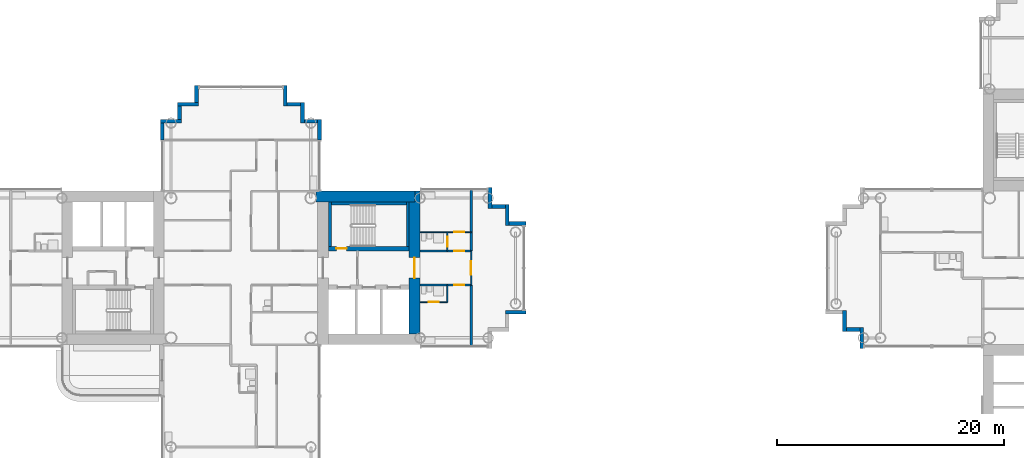
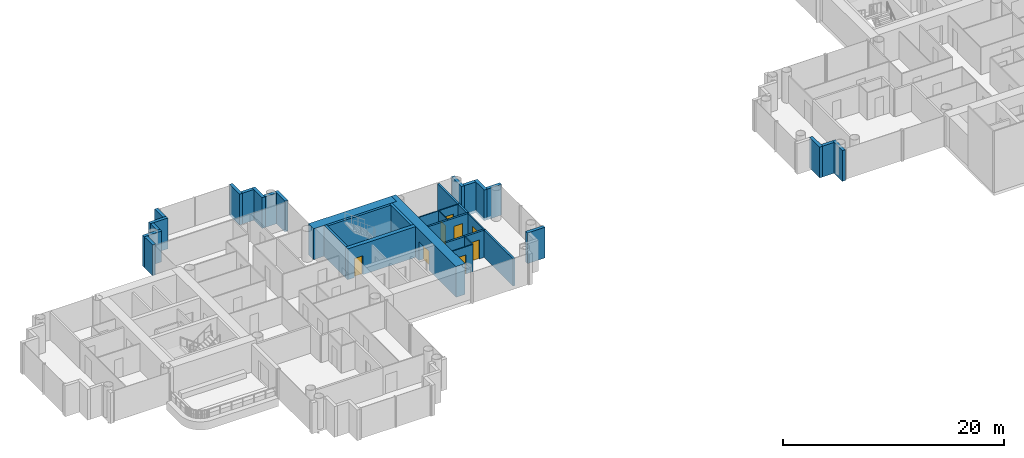
# One storey, part 11 of 21: 33 walls, 8 doors, 8 openings.
"""IFC4 building model written with IfcOpenShell, lengths in metres."""

from ifc_helpers import new_model, si_unit, direction, frame, frame_2d, origin, place, context, subcontext, project, spatial, rectangle, extrude, material, layer, layer_set, type_object, element, fill, save


model = new_model("IFC4")

# Units and contexts
model_context = context("Model", 3, precision=1e-05, world=origin(), true_north=direction((0.0, 1.0)))
body_context = subcontext(model_context, "Body", "Model", "MODEL_VIEW")
ifc_project = project(units=[si_unit("LENGTHUNIT", "METRE"), si_unit("AREAUNIT", "SQUARE_METRE"), si_unit("VOLUMEUNIT", "CUBIC_METRE"), si_unit("PLANEANGLEUNIT", "RADIAN"), si_unit("MASSUNIT", "GRAM", prefix="KILO")], contexts=[model_context])

# Site, building, storey
site_placement = place(None, origin())
site = spatial("IfcSite", under=ifc_project, at=site_placement, CompositionType="ELEMENT")
building_placement = place(site_placement, origin())
building = spatial("IfcBuilding", under=site, at=building_placement, Name="Ipe Terrace Towers", CompositionType="ELEMENT")
storey_placement = place(building_placement, frame((0.0, 0.0, 97.0)))
storey = spatial("IfcBuildingStorey", under=building, at=storey_placement, Name="L26", CompositionType="ELEMENT", Elevation=97.0)

# Walls
ifc_material_1 = material(Name="Concrete C40/50 with buff precast cladding", Category="concrete")
ifc_layer_1 = layer(ifc_material_1, 0.320068359375)
ifc_layer_set_1 = layer_set([ifc_layer_1], Name="BUFF CLADDING WALL 320")
wall_type_1 = type_object("IfcWallType", Name="BUFF CLADDING WALL 320", PredefinedType="STANDARD", material=ifc_layer_set_1)
wall_1_placement = place(storey_placement, frame((-12.75, -3.909912109375, -0.300048828125), z_axis=(0.0, 0.0, 1.0), x_axis=(1.0, 0.0, 0.0)))
element("IfcWall", 1, at=wall_1_placement, inside=storey, type_object=wall_type_1, Name="T1-W-L26-24a wall", PredefinedType="STANDARD", context=body_context, shape_type="SweptSolid", body=[
    extrude(rectangle(XDim=1.820068359375, YDim=0.320068359375, at=frame_2d((0.91015625, 0.0))), origin(), (0.0, 0.0, 1.0), 3.400146484375),
])
wall_2_placement = place(storey_placement, frame((-10.929931640625, 3.909912109375, -0.300048828125), z_axis=(0.0, 0.0, 1.0), x_axis=(-1.0, 0.0, 0.0)))
element("IfcWall", 2, at=wall_2_placement, inside=storey, type_object=wall_type_1, Name="T1-W-L26-26a wall", PredefinedType="STANDARD", context=body_context, shape_type="SweptSolid", body=[
    extrude(rectangle(XDim=1.5, YDim=0.320068359375, at=frame_2d((0.75, 0.0))), origin(), (0.0, 0.0, 1.0), 3.400146484375),
])
wall_3_placement = place(storey_placement, frame((-12.590087890625, 3.75, -0.300048828125), z_axis=(0.0, 0.0, 1.0), x_axis=(0.0, 1.0, 0.0)))
element("IfcWall", 3, at=wall_3_placement, inside=storey, type_object=wall_type_1, Name="T1-W-L26-27a wall", PredefinedType="STANDARD", context=body_context, shape_type="SweptSolid", body=[
    extrude(rectangle(XDim=1.820068359375, YDim=0.320068359375, at=frame_2d((0.91015625, 0.0))), origin(), (0.0, 0.0, 1.0), 3.400146484375),
])
wall_4_placement = place(storey_placement, frame((-12.75, 5.409912109375, -0.300048828125), z_axis=(0.0, 0.0, 1.0), x_axis=(-1.0, 0.0, 0.0)))
element("IfcWall", 4, at=wall_4_placement, inside=storey, type_object=wall_type_1, Name="T1-W-L26-28a wall", PredefinedType="STANDARD", context=body_context, shape_type="SweptSolid", body=[
    extrude(rectangle(XDim=1.179931640625, YDim=0.320068359375, at=frame_2d((0.58984375, 0.0))), origin(), (0.0, 0.0, 1.0), 3.400146484375),
])
for number, where, z_axis, x_axis, name in (
    (5, (-14.090087890625, 5.25, -0.300048828125), (0.0, 0.0, 1.0), (0.0, 1.0, 0.0), "T1-W-L26-29a wall"),
    (6, (-29.090087890625, 11.25, -0.300048828125), (0.0, 0.0, 1.0), (0.0, 1.0, 0.0), "T1-W-L26-33a wall"),
):
    element("IfcWall", number, at=place(storey_placement, frame(where, z_axis=z_axis, x_axis=x_axis)), inside=storey, type_object=wall_type_1, Name=name, PredefinedType="STANDARD", context=body_context, shape_type="SweptSolid", body=[
        extrude(rectangle(XDim=1.820068359375, YDim=0.320068359375, at=frame_2d((0.91015625, 0.0))), origin(), (0.0, 0.0, 1.0), 3.400146484375),
    ])
wall_5_placement = place(storey_placement, frame((-29.25, 12.909912109375, -0.300048828125), z_axis=(0.0, 0.0, 1.0), x_axis=(-1.0, 0.0, 0.0)))
element("IfcWall", 7, at=wall_5_placement, inside=storey, type_object=wall_type_1, Name="T1-W-L26-34a wall", PredefinedType="STANDARD", context=body_context, shape_type="SweptSolid", body=[
    extrude(rectangle(XDim=1.179931640625, YDim=0.320068359375, at=frame_2d((0.58984375, 0.0))), origin(), (0.0, 0.0, 1.0), 3.400146484375),
])
wall_6_placement = place(storey_placement, frame((-30.590087890625, 12.75, -0.300048828125), z_axis=(0.0, 0.0, 1.0), x_axis=(0.0, 1.0, 0.0)))
element("IfcWall", 8, at=wall_6_placement, inside=storey, type_object=wall_type_1, Name="T1-W-L26-35a wall", PredefinedType="STANDARD", context=body_context, shape_type="SweptSolid", body=[
    extrude(rectangle(XDim=1.820068359375, YDim=0.320068359375, at=frame_2d((0.91015625, 0.0))), origin(), (0.0, 0.0, 1.0), 3.400146484375),
])
wall_7_placement = place(storey_placement, frame((-30.75, 14.409912109375, -0.300048828125), z_axis=(0.0, 0.0, 1.0), x_axis=(-1.0, 0.0, 0.0)))
element("IfcWall", 9, at=wall_7_placement, inside=storey, type_object=wall_type_1, Name="T1-W-L26-36a wall", PredefinedType="STANDARD", context=body_context, shape_type="SweptSolid", body=[
    extrude(rectangle(XDim=1.179931640625, YDim=0.320068359375, at=frame_2d((0.58984375, 0.0))), origin(), (0.0, 0.0, 1.0), 3.400146484375),
])
wall_8_placement = place(storey_placement, frame((-32.090087890625, 14.25, -0.300048828125), z_axis=(0.0, 0.0, 1.0), x_axis=(0.0, 1.0, 0.0)))
element("IfcWall", 10, at=wall_8_placement, inside=storey, type_object=wall_type_1, Name="T1-W-L26-37a wall", PredefinedType="STANDARD", context=body_context, shape_type="SweptSolid", body=[
    extrude(rectangle(XDim=1.820068359375, YDim=0.320068359375, at=frame_2d((0.91015625, 0.0))), origin(), (0.0, 0.0, 1.0), 3.400146484375),
])
wall_9_placement = place(storey_placement, frame((-39.909912109375, 16.070068359375, -0.300048828125), z_axis=(0.0, 0.0, 1.0), x_axis=(0.0, -1.0, 0.0)))
element("IfcWall", 11, at=wall_9_placement, inside=storey, type_object=wall_type_1, Name="T1-W-L26-39a wall", PredefinedType="STANDARD", context=body_context, shape_type="SweptSolid", body=[
    extrude(rectangle(XDim=1.5, YDim=0.320068359375, at=frame_2d((0.75, 0.0))), origin(), (0.0, 0.0, 1.0), 3.400146484375),
])
wall_10_placement = place(storey_placement, frame((-39.75, 14.409912109375, -0.300048828125), z_axis=(0.0, 0.0, 1.0), x_axis=(-1.0, 0.0, 0.0)))
element("IfcWall", 12, at=wall_10_placement, inside=storey, type_object=wall_type_1, Name="T1-W-L26-40a wall", PredefinedType="STANDARD", context=body_context, shape_type="SweptSolid", body=[
    extrude(rectangle(XDim=1.820068359375, YDim=0.320068359375, at=frame_2d((0.91015625, 0.0))), origin(), (0.0, 0.0, 1.0), 3.400146484375),
])
wall_11_placement = place(storey_placement, frame((-41.409912109375, 14.25, -0.300048828125), z_axis=(0.0, 0.0, 1.0), x_axis=(0.0, -1.0, 0.0)))
element("IfcWall", 13, at=wall_11_placement, inside=storey, type_object=wall_type_1, Name="T1-W-L26-41a wall", PredefinedType="STANDARD", context=body_context, shape_type="SweptSolid", body=[
    extrude(rectangle(XDim=1.179931640625, YDim=0.320068359375, at=frame_2d((0.58984375, 0.0))), origin(), (0.0, 0.0, 1.0), 3.400146484375),
])
wall_12_placement = place(storey_placement, frame((-41.25, 12.909912109375, -0.300048828125), z_axis=(0.0, 0.0, 1.0), x_axis=(-1.0, 0.0, 0.0)))
element("IfcWall", 14, at=wall_12_placement, inside=storey, type_object=wall_type_1, Name="T1-W-L26-42a wall", PredefinedType="STANDARD", context=body_context, shape_type="SweptSolid", body=[
    extrude(rectangle(XDim=1.820068359375, YDim=0.320068359375, at=frame_2d((0.91015625, 0.0))), origin(), (0.0, 0.0, 1.0), 3.400146484375),
])
wall_13_placement = place(storey_placement, frame((-42.909912109375, 12.75, -0.300048828125), z_axis=(0.0, 0.0, 1.0), x_axis=(0.0, -1.0, 0.0)))
element("IfcWall", 15, at=wall_13_placement, inside=storey, type_object=wall_type_1, Name="T1-W-L26-43a wall", PredefinedType="STANDARD", context=body_context, shape_type="SweptSolid", body=[
    extrude(rectangle(XDim=1.5, YDim=0.320068359375, at=frame_2d((0.75, 0.0))), origin(), (0.0, 0.0, 1.0), 3.400146484375),
])
wall_14_placement = place(storey_placement, frame((17.090087890625, -3.75, -0.300048828125), z_axis=(0.0, 0.0, 1.0), x_axis=(0.0, -1.0, 0.0)))
element("IfcWall", 16, at=wall_14_placement, inside=storey, type_object=wall_type_1, Name="T2-W-L26-36a wall", PredefinedType="STANDARD", context=body_context, shape_type="SweptSolid", body=[
    extrude(rectangle(XDim=1.820068359375, YDim=0.320068359375, at=frame_2d((0.91015625, 0.0))), origin(), (0.0, 0.0, 1.0), 3.400146484375),
])
wall_15_placement = place(storey_placement, frame((17.25, -5.409912109375, -0.300048828125), z_axis=(0.0, 0.0, 1.0), x_axis=(1.0, 0.0, 0.0)))
element("IfcWall", 17, at=wall_15_placement, inside=storey, type_object=wall_type_1, Name="T2-W-L26-37a wall", PredefinedType="STANDARD", context=body_context, shape_type="SweptSolid", body=[
    extrude(rectangle(XDim=1.179931640625, YDim=0.320068359375, at=frame_2d((0.58984375, 0.0))), origin(), (0.0, 0.0, 1.0), 3.400146484375),
])
wall_16_placement = place(storey_placement, frame((18.590087890625, -5.25, -0.300048828125), z_axis=(0.0, 0.0, 1.0), x_axis=(0.0, -1.0, 0.0)))
element("IfcWall", 18, at=wall_16_placement, inside=storey, type_object=wall_type_1, Name="T2-W-L26-38a wall", PredefinedType="STANDARD", context=body_context, shape_type="SweptSolid", body=[
    extrude(rectangle(XDim=1.820068359375, YDim=0.320068359375, at=frame_2d((0.91015625, 0.0))), origin(), (0.0, 0.0, 1.0), 3.400146484375),
])
ifc_material_2 = material(Name="Gypsum board partition", Category="plasterboard")
ifc_layer_2 = layer(ifc_material_2, 0.10009765625)
ifc_layer_set_2 = layer_set([ifc_layer_2], Name="Gypsum board partition 100 mm")
wall_type_2 = type_object("IfcWallType", Name="Gypsum board partition 100 mm", PredefinedType="PARTITIONING", material=ifc_layer_set_2)
wall_17_placement = place(storey_placement, frame((-17.85009765625, -3.0, 0.0), z_axis=(0.0, 0.0, 1.0), x_axis=(0.0, 1.0, 0.0)))
element("IfcWall", 19, at=wall_17_placement, inside=storey, type_object=wall_type_2, Name="Gypsum board partition T1 L26 W16", PredefinedType="PARTITIONING", context=body_context, shape_type="SweptSolid", body=[
    extrude(rectangle(XDim=1.5, YDim=0.10009765625, at=frame_2d((0.75, 0.0))), origin(), (0.0, 0.0, 1.0), 3.0),
])

# Wall, opening, door
wall_18_placement = place(storey_placement, frame((-17.85009765625, 1.5, 0.0), z_axis=(0.0, 0.0, 1.0), x_axis=(0.0, 1.0, 0.0)))
wall_18 = element("IfcWall", 20, at=wall_18_placement, inside=storey, type_object=wall_type_2, Name="Gypsum board partition T1 L26 W17", PredefinedType="PARTITIONING", context=body_context, shape_type="SweptSolid", body=[
    extrude(rectangle(XDim=1.64990234375, YDim=0.10009765625, at=frame_2d((0.824951171875, 0.0))), origin(), (0.0, 0.0, 1.0), 3.0),
])
opening_1_placement = place(wall_18_placement, frame((0.35009765625, 0.0, 0.0)))
opening_1 = element("IfcOpeningElement", 21, at=opening_1_placement, cuts=wall_18, Name="Opening T1-Z2E-18", PredefinedType="OPENING", context=body_context, shape_type="SweptSolid", body=[
    extrude(rectangle(XDim=0.89990234375, YDim=2.10009765625, at=frame_2d((0.449951171875, 1.050048828125))), frame((0.0, 0.06005859375, 0.0), z_axis=(0.0, -1.0, 0.0), x_axis=(1.0, 0.0, 0.0)), (0.0, 0.0, 1.0), 0.1201171875),
])
ifc_material_3 = material(Name="Timber door leaf", Category="wood")
door_type_1 = type_object("IfcDoorType", Name="Bathroom door 900 x 2100", OperationType="NOTDEFINED", PredefinedType="DOOR", material=ifc_material_3)
door_1_placement = place(opening_1_placement, origin())
door_1 = element("IfcDoor", 22, at=door_1_placement, inside=storey, type_object=door_type_1, Name="Bathroom door T1-Z2E-18", OperationType="SINGLE_SWING_RIGHT", OverallHeight=2.10009765625, OverallWidth=0.89990234375, PredefinedType="DOOR", context=body_context, shape_type="SweptSolid", body=[
    extrude(rectangle(XDim=0.89990234375, YDim=2.10009765625, at=frame_2d((0.449951171875, 1.050048828125))), frame((0.0, 0.02490234375, 0.0), z_axis=(0.0, -1.0, 0.0), x_axis=(1.0, 0.0, 0.0)), (0.0, 0.0, 1.0), 0.050048828125),
])
fill(opening_1, door_1)

wall_19_placement = place(storey_placement, frame((-15.75, -1.5, 0.0), z_axis=(0.0, 0.0, 1.0), x_axis=(0.0, 1.0, 0.0)))
wall_19 = element("IfcWall", 23, at=wall_19_placement, inside=storey, type_object=wall_type_2, Name="Gypsum board partition T1 L26 W18", PredefinedType="PARTITIONING", context=body_context, shape_type="SweptSolid", body=[
    extrude(rectangle(XDim=3.0, YDim=0.10009765625, at=frame_2d((1.5, 0.0))), origin(), (0.0, 0.0, 1.0), 3.0),
])
opening_2_placement = place(wall_19_placement, frame((0.89990234375, 0.0, 0.0)))
opening_2 = element("IfcOpeningElement", 24, at=opening_2_placement, cuts=wall_19, Name="Opening T1-Z2E-21", PredefinedType="OPENING", context=body_context, shape_type="SweptSolid", body=[
    extrude(rectangle(XDim=1.199951171875, YDim=2.10009765625, at=frame_2d((0.60009765625, 1.050048828125))), frame((0.0, 0.06005859375, 0.0), z_axis=(0.0, -1.0, 0.0), x_axis=(1.0, 0.0, 0.0)), (0.0, 0.0, 1.0), 0.1201171875),
])
ifc_material_4 = material(Name="Timber door leaf", Category="wood")
door_type_2 = type_object("IfcDoorType", Name="Lounge door 1200 x 2100", OperationType="NOTDEFINED", PredefinedType="DOOR", material=ifc_material_4)
door_2_placement = place(opening_2_placement, origin())
door_2 = element("IfcDoor", 25, at=door_2_placement, inside=storey, type_object=door_type_2, Name="Lounge door T1-Z2E-21", OperationType="SINGLE_SWING_RIGHT", OverallHeight=2.10009765625, OverallWidth=1.199951171875, PredefinedType="DOOR", context=body_context, shape_type="SweptSolid", body=[
    extrude(rectangle(XDim=1.199951171875, YDim=2.10009765625, at=frame_2d((0.60009765625, 1.050048828125))), frame((0.0, 0.02490234375, 0.0), z_axis=(0.0, -1.0, 0.0), x_axis=(1.0, 0.0, 0.0)), (0.0, 0.0, 1.0), 0.050048828125),
])
fill(opening_2, door_2)

wall_20_placement = place(storey_placement, frame((-20.25, -3.0, 0.0), z_axis=(0.0, 0.0, 1.0), x_axis=(1.0, 0.0, 0.0)))
wall_20 = element("IfcWall", 26, at=wall_20_placement, inside=storey, type_object=wall_type_2, Name="Gypsum board partition T1 L26 W28", PredefinedType="PARTITIONING", context=body_context, shape_type="SweptSolid", body=[
    extrude(rectangle(XDim=2.39990234375, YDim=0.10009765625, at=frame_2d((1.199951171875, 0.0))), origin(), (0.0, 0.0, 1.0), 3.0),
])
opening_3_placement = place(wall_20_placement, frame((0.75, 0.0, 0.0)))
opening_3 = element("IfcOpeningElement", 27, at=opening_3_placement, cuts=wall_20, Name="Opening T1-Z2E-20", PredefinedType="OPENING", context=body_context, shape_type="SweptSolid", body=[
    extrude(rectangle(XDim=0.89990234375, YDim=2.10009765625, at=frame_2d((0.449951171875, 1.050048828125))), frame((0.0, 0.06005859375, 0.0), z_axis=(0.0, -1.0, 0.0), x_axis=(1.0, 0.0, 0.0)), (0.0, 0.0, 1.0), 0.1201171875),
])
door_3_placement = place(opening_3_placement, origin())
door_3 = element("IfcDoor", 28, at=door_3_placement, inside=storey, type_object=door_type_1, Name="Bathroom door T1-Z2E-20", OperationType="SINGLE_SWING_LEFT", OverallHeight=2.10009765625, OverallWidth=0.89990234375, PredefinedType="DOOR", context=body_context, shape_type="SweptSolid", body=[
    extrude(rectangle(XDim=0.89990234375, YDim=2.10009765625, at=frame_2d((0.449951171875, 1.050048828125))), frame((0.0, 0.02490234375, 0.0), z_axis=(0.0, -1.0, 0.0), x_axis=(1.0, 0.0, 0.0)), (0.0, 0.0, 1.0), 0.050048828125),
])
fill(opening_3, door_3)

wall_21_placement = place(storey_placement, frame((-20.25, 3.14990234375, 0.0), z_axis=(0.0, 0.0, 1.0), x_axis=(1.0, 0.0, 0.0)))
wall_21 = element("IfcWall", 29, at=wall_21_placement, inside=storey, type_object=wall_type_2, Name="Gypsum board partition T1 L26 W38", PredefinedType="PARTITIONING", context=body_context, shape_type="SweptSolid", body=[
    extrude(rectangle(XDim=4.5, YDim=0.10009765625, at=frame_2d((2.25, 0.0))), origin(), (0.0, 0.0, 1.0), 3.0),
])
opening_4_placement = place(wall_21_placement, frame((3.0, 0.0, 0.0)))
opening_4 = element("IfcOpeningElement", 30, at=opening_4_placement, cuts=wall_21, Name="Opening T1-Z2E-17", PredefinedType="OPENING", context=body_context, shape_type="SweptSolid", body=[
    extrude(rectangle(XDim=0.89990234375, YDim=2.10009765625, at=frame_2d((0.449951171875, 1.050048828125))), frame((0.0, 0.06005859375, 0.0), z_axis=(0.0, -1.0, 0.0), x_axis=(1.0, 0.0, 0.0)), (0.0, 0.0, 1.0), 0.1201171875),
])
ifc_material_5 = material(Name="Timber door leaf", Category="wood")
door_type_3 = type_object("IfcDoorType", Name="Bedroom door 900 x 2100", OperationType="NOTDEFINED", PredefinedType="DOOR", material=ifc_material_5)
door_4_placement = place(opening_4_placement, origin())
door_4 = element("IfcDoor", 31, at=door_4_placement, inside=storey, type_object=door_type_3, Name="Bedroom door T1-Z2E-17", OperationType="SINGLE_SWING_LEFT", OverallHeight=2.10009765625, OverallWidth=0.89990234375, PredefinedType="DOOR", context=body_context, shape_type="SweptSolid", body=[
    extrude(rectangle(XDim=0.89990234375, YDim=2.10009765625, at=frame_2d((0.449951171875, 1.050048828125))), frame((0.0, 0.02490234375, 0.0), z_axis=(0.0, -1.0, 0.0), x_axis=(1.0, 0.0, 0.0)), (0.0, 0.0, 1.0), 0.050048828125),
])
fill(opening_4, door_4)

# Walls
ifc_material_6 = material(Name="Gypsum board party wall", Category="plasterboard")
ifc_layer_3 = layer(ifc_material_6, 0.199951171875)
ifc_layer_set_3 = layer_set([ifc_layer_3], Name="Gypsum board party wall 200 mm")
wall_type_3 = type_object("IfcWallType", Name="Gypsum board party wall 200 mm", PredefinedType="SOLIDWALL", material=ifc_layer_set_3)
for number, where, z_axis, x_axis, name in (
    (32, (-15.75, -6.85009765625, 0.0), (0.0, 0.0, 1.0), (0.0, 1.0, 0.0), "Gypsum board party wall T1 L26 W19"),
    (33, (-15.75, 1.5, 0.0), (0.0, 0.0, 1.0), (0.0, 1.0, 0.0), "Gypsum board party wall T1 L26 W20"),
):
    element("IfcWall", number, at=place(storey_placement, frame(where, z_axis=z_axis, x_axis=x_axis)), inside=storey, type_object=wall_type_3, Name=name, PredefinedType="SOLIDWALL", context=body_context, shape_type="SweptSolid", body=[
        extrude(rectangle(XDim=5.35009765625, YDim=0.199951171875, at=frame_2d((2.675048828125, 0.0))), origin(), (0.0, 0.0, 1.0), 3.0),
    ])

# Wall, opening, door
wall_22_placement = place(storey_placement, frame((-20.25, -1.5, 0.0), z_axis=(0.0, 0.0, 1.0), x_axis=(1.0, 0.0, 0.0)))
wall_22 = element("IfcWall", 34, at=wall_22_placement, inside=storey, type_object=wall_type_3, Name="Gypsum board party wall T1 L26 W32", PredefinedType="SOLIDWALL", context=body_context, shape_type="SweptSolid", body=[
    extrude(rectangle(XDim=4.5, YDim=0.199951171875, at=frame_2d((2.25, 0.0))), origin(), (0.0, 0.0, 1.0), 3.0),
])
opening_5_placement = place(wall_22_placement, frame((3.0, 0.0, 0.0)))
opening_5 = element("IfcOpeningElement", 35, at=opening_5_placement, cuts=wall_22, Name="Opening T1-Z2E-19", PredefinedType="OPENING", context=body_context, shape_type="SweptSolid", body=[
    extrude(rectangle(XDim=0.89990234375, YDim=2.10009765625, at=frame_2d((0.449951171875, 1.050048828125))), frame((0.0, 0.10986328125, 0.0), z_axis=(0.0, -1.0, 0.0), x_axis=(1.0, 0.0, 0.0)), (0.0, 0.0, 1.0), 0.219970703125),
])
ifc_material_7 = material(Name="Fire-rated timber door leaf", Category="wood")
door_type_4 = type_object("IfcDoorType", Name="Flat entrance door 900 x 2100 FD30S", OperationType="NOTDEFINED", PredefinedType="DOOR", material=ifc_material_7)
door_5_placement = place(opening_5_placement, origin())
door_5 = element("IfcDoor", 36, at=door_5_placement, inside=storey, type_object=door_type_4, Name="Flat entrance door T1-Z2E-19", OperationType="SINGLE_SWING_RIGHT", OverallHeight=2.10009765625, OverallWidth=0.89990234375, PredefinedType="DOOR", context=body_context, shape_type="SweptSolid", body=[
    extrude(rectangle(XDim=0.89990234375, YDim=2.10009765625, at=frame_2d((0.449951171875, 1.050048828125))), frame((0.0, 0.02490234375, 0.0), z_axis=(0.0, -1.0, 0.0), x_axis=(1.0, 0.0, 0.0)), (0.0, 0.0, 1.0), 0.050048828125),
])
fill(opening_5, door_5)

wall_23_placement = place(storey_placement, frame((-20.25, 1.5, 0.0), z_axis=(0.0, 0.0, 1.0), x_axis=(1.0, 0.0, 0.0)))
wall_23 = element("IfcWall", 37, at=wall_23_placement, inside=storey, type_object=wall_type_3, Name="Gypsum board party wall T1 L26 W36", PredefinedType="SOLIDWALL", context=body_context, shape_type="SweptSolid", body=[
    extrude(rectangle(XDim=4.5, YDim=0.199951171875, at=frame_2d((2.25, 0.0))), origin(), (0.0, 0.0, 1.0), 3.0),
])
opening_6_placement = place(wall_23_placement, frame((3.0, 0.0, 0.0)))
opening_6 = element("IfcOpeningElement", 38, at=opening_6_placement, cuts=wall_23, Name="Opening T1-Z2E-16", PredefinedType="OPENING", context=body_context, shape_type="SweptSolid", body=[
    extrude(rectangle(XDim=0.89990234375, YDim=2.10009765625, at=frame_2d((0.449951171875, 1.050048828125))), frame((0.0, 0.10986328125, 0.0), z_axis=(0.0, -1.0, 0.0), x_axis=(1.0, 0.0, 0.0)), (0.0, 0.0, 1.0), 0.219970703125),
])
door_6_placement = place(opening_6_placement, origin())
door_6 = element("IfcDoor", 39, at=door_6_placement, inside=storey, type_object=door_type_4, Name="Flat entrance door T1-Z2E-16", OperationType="SINGLE_SWING_LEFT", OverallHeight=2.10009765625, OverallWidth=0.89990234375, PredefinedType="DOOR", context=body_context, shape_type="SweptSolid", body=[
    extrude(rectangle(XDim=0.89990234375, YDim=2.10009765625, at=frame_2d((0.449951171875, 1.050048828125))), frame((0.0, 0.02490234375, 0.0), z_axis=(0.0, -1.0, 0.0), x_axis=(1.0, 0.0, 0.0)), (0.0, 0.0, 1.0), 0.050048828125),
])
fill(opening_6, door_6)

# Walls
ifc_material_8 = material(Name="Concrete C50/60", Category="concrete")
ifc_layer_4 = layer(ifc_material_8, 0.25)
ifc_layer_set_4 = layer_set([ifc_layer_4], Name="RW250 CORE INFILL WALL 250 C50-60")
wall_type_4 = type_object("IfcWallType", Name="RW250 CORE INFILL WALL 250 C50-60", PredefinedType="SHEAR", material=ifc_layer_set_4)
wall_24_placement = place(storey_placement, frame((-21.324951171875, 1.89990234375, 0.0), z_axis=(0.0, 0.0, 1.0), x_axis=(0.0, 1.0, 0.0)))
element("IfcWall", 40, at=wall_24_placement, inside=storey, type_object=wall_type_4, Name="Core infill wall T1-C1-far", PredefinedType="SHEAR", context=body_context, shape_type="SweptSolid", body=[
    extrude(rectangle(XDim=3.900146484375, YDim=0.25, at=frame_2d((1.9501953125, 0.0))), origin(), (0.0, 0.0, 1.0), 3.39990234375),
])
wall_25_placement = place(storey_placement, frame((-28.050048828125, 5.675048828125, 0.0), z_axis=(0.0, 0.0, 1.0), x_axis=(1.0, 0.0, 0.0)))
element("IfcWall", 41, at=wall_25_placement, inside=storey, type_object=wall_type_4, Name="Core infill wall T1-C1-back", PredefinedType="SHEAR", context=body_context, shape_type="SweptSolid", body=[
    extrude(rectangle(XDim=6.60009765625, YDim=0.25, at=frame_2d((3.300048828125, 0.0))), origin(), (0.0, 0.0, 1.0), 3.39990234375),
])
wall_26_placement = place(storey_placement, frame((-28.175048828125, 1.89990234375, 0.0), z_axis=(0.0, 0.0, 1.0), x_axis=(0.0, 1.0, 0.0)))
element("IfcWall", 42, at=wall_26_placement, inside=storey, type_object=wall_type_4, Name="Core infill wall T1-C1-near", PredefinedType="SHEAR", context=body_context, shape_type="SweptSolid", body=[
    extrude(rectangle(XDim=3.900146484375, YDim=0.25, at=frame_2d((1.9501953125, 0.0))), origin(), (0.0, 0.0, 1.0), 3.39990234375),
])

# Wall, opening, door
ifc_material_9 = material(Name="Concrete C50/60", Category="concrete")
ifc_layer_5 = layer(ifc_material_9, 0.39990234375)
ifc_layer_set_5 = layer_set([ifc_layer_5], Name="RW400 CORE SPINE WALL 400 C50-60")
wall_type_5 = type_object("IfcWallType", Name="RW400 CORE SPINE WALL 400 C50-60", PredefinedType="SHEAR", material=ifc_layer_set_5)
wall_27_placement = place(storey_placement, frame((-28.300048828125, 1.699951171875, 0.0), z_axis=(0.0, 0.0, 1.0), x_axis=(1.0, 0.0, 0.0)))
wall_27 = element("IfcWall", 43, at=wall_27_placement, inside=storey, type_object=wall_type_5, Name="Core spine wall T1-C1-Z2-SW2", PredefinedType="SHEAR", context=body_context, shape_type="SweptSolid", body=[
    extrude(rectangle(XDim=7.10009765625, YDim=0.39990234375, at=frame_2d((3.550048828125, 0.0))), origin(), (0.0, 0.0, 1.0), 3.39990234375),
])
opening_7_placement = place(wall_27_placement, frame((0.699951171875, 0.0, 0.0)))
opening_7 = element("IfcOpeningElement", 44, at=opening_7_placement, cuts=wall_27, Name="Opening T1C1-SD", PredefinedType="OPENING", context=body_context, shape_type="SweptSolid", body=[
    extrude(rectangle(XDim=0.89990234375, YDim=2.10009765625, at=frame_2d((0.449951171875, 1.050048828125))), frame((0.0, 0.2099609375, 0.0), z_axis=(0.0, -1.0, 0.0), x_axis=(1.0, 0.0, 0.0)), (0.0, 0.0, 1.0), 0.419921875),
])
ifc_material_10 = material(Name="Fire-rated timber door leaf", Category="wood")
door_type_5 = type_object("IfcDoorType", Name="Stair door 900 x 2100 FD60", OperationType="NOTDEFINED", PredefinedType="DOOR", material=ifc_material_10)
door_7_placement = place(opening_7_placement, origin())
door_7 = element("IfcDoor", 45, at=door_7_placement, inside=storey, type_object=door_type_5, Name="Stair door T1C1-SD", OperationType="SINGLE_SWING_LEFT", OverallHeight=2.10009765625, OverallWidth=0.89990234375, PredefinedType="DOOR", context=body_context, shape_type="SweptSolid", body=[
    extrude(rectangle(XDim=0.89990234375, YDim=2.10009765625, at=frame_2d((0.449951171875, 1.050048828125))), frame((0.0, 0.02490234375, 0.0), z_axis=(0.0, -1.0, 0.0), x_axis=(1.0, 0.0, 0.0)), (0.0, 0.0, 1.0), 0.050048828125),
])
fill(opening_7, door_7)

ifc_material_11 = material(Name="Concrete C50/60", Category="concrete")
ifc_layer_6 = layer(ifc_material_11, 0.949951171875)
ifc_layer_set_6 = layer_set([ifc_layer_6], Name="RW950 CORE WALL 950 C50-60")
wall_type_6 = type_object("IfcWallType", Name="RW950 CORE WALL 950 C50-60", PredefinedType="SHEAR", material=ifc_layer_set_6)
wall_28_placement = place(storey_placement, frame((-20.72509765625, -5.800048828125, 0.0), z_axis=(0.0, 0.0, 1.0), x_axis=(0.0, 1.0, 0.0)))
wall_28 = element("IfcWall", 46, at=wall_28_placement, inside=storey, type_object=wall_type_6, Name="Core wall T1-C1-Z2-W02", PredefinedType="SHEAR", context=body_context, shape_type="SweptSolid", body=[
    extrude(rectangle(XDim=12.550048828125, YDim=0.949951171875, at=frame_2d((6.27490234375, 0.0))), origin(), (0.0, 0.0, 1.0), 3.39990234375),
])
opening_8_placement = place(wall_28_placement, frame((4.89990234375, 0.0, 0.0)))
opening_8 = element("IfcOpeningElement", 47, at=opening_8_placement, cuts=wall_28, Name="Opening T1C1-FD", PredefinedType="OPENING", context=body_context, shape_type="SweptSolid", body=[
    extrude(rectangle(XDim=1.800048828125, YDim=2.10009765625, at=frame_2d((0.89990234375, 1.050048828125))), frame((0.0, 0.48486328125, 0.0), z_axis=(0.0, -1.0, 0.0), x_axis=(1.0, 0.0, 0.0)), (0.0, 0.0, 1.0), 0.969970703125),
])
ifc_material_12 = material(Name="Fire-rated timber door leaf", Category="wood")
door_type_6 = type_object("IfcDoorType", Name="Fire door 1800 x 2100 FD30S", OperationType="NOTDEFINED", PredefinedType="DOOR", material=ifc_material_12)
door_8_placement = place(opening_8_placement, origin())
door_8 = element("IfcDoor", 48, at=door_8_placement, inside=storey, type_object=door_type_6, Name="Fire door T1C1-FD", OperationType="SINGLE_SWING_LEFT", OverallHeight=2.10009765625, OverallWidth=1.800048828125, PredefinedType="DOOR", context=body_context, shape_type="SweptSolid", body=[
    extrude(rectangle(XDim=1.800048828125, YDim=2.10009765625, at=frame_2d((0.89990234375, 1.050048828125))), frame((0.0, 0.02490234375, 0.0), z_axis=(0.0, -1.0, 0.0), x_axis=(1.0, 0.0, 0.0)), (0.0, 0.0, 1.0), 0.050048828125),
])
fill(opening_8, door_8)

# Wall
wall_29_placement = place(storey_placement, frame((-20.701904296875, 6.27490234375, 0.0), z_axis=(0.0, 0.0, 1.0), x_axis=(-1.0, 0.0, 0.0)))
element("IfcWall", 49, at=wall_29_placement, inside=storey, type_object=wall_type_6, Name="Core wall T1-C1-Z2-W03", PredefinedType="SHEAR", context=body_context, shape_type="SweptSolid", body=[
    extrude(rectangle(XDim=8.696044921875, YDim=0.949951171875, at=frame_2d((4.34814453125, 0.0))), origin(), (0.0, 0.0, 1.0), 3.39990234375),
])

save(model, "model.ifc")
